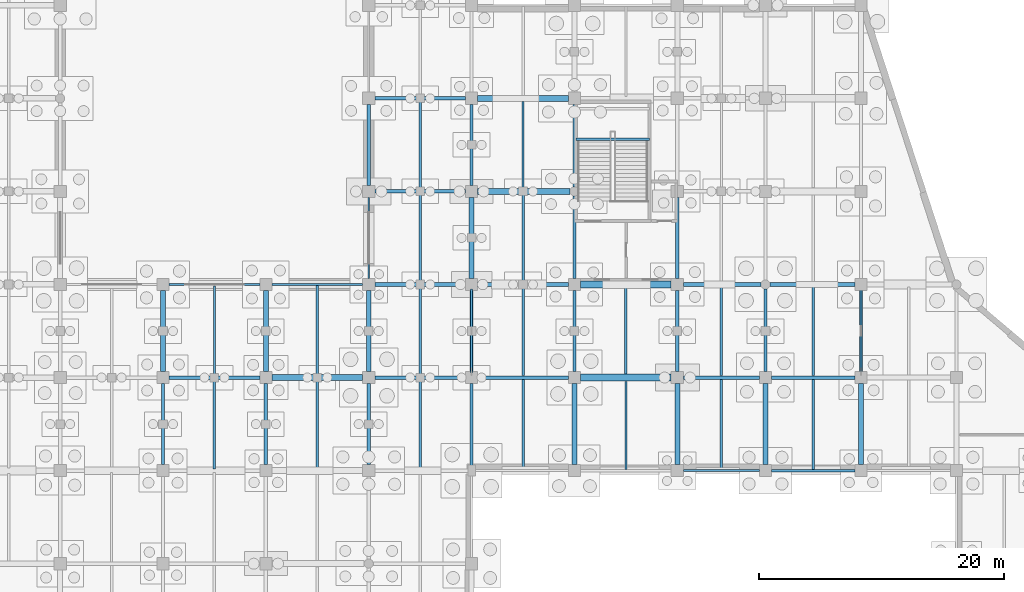
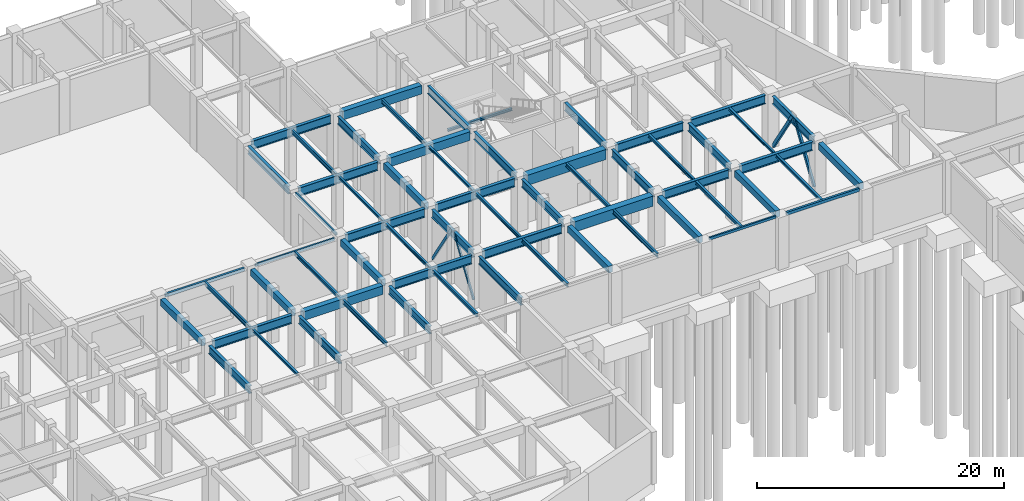
# One storey, part 25 of 52: 62 beams, 4 members.
"""IFC4 building model written with IfcOpenShell, lengths in metres."""

from ifc_helpers import new_model, si_unit, direction, frame, origin, origin_2d, place, context, subcontext, project, spatial, rectangle, hollow_rectangle, i_section, extrude, material, material_profile, profile_set, type_object, element, save


model = new_model("IFC4")

# Units and contexts
model_context = context("Model", 3, precision=1e-05, world=origin(), true_north=direction((0.0, 1.0)))
body_context = subcontext(model_context, "Body", "Model", "MODEL_VIEW")
ifc_project = project(units=[si_unit("LENGTHUNIT", "METRE"), si_unit("AREAUNIT", "SQUARE_METRE"), si_unit("VOLUMEUNIT", "CUBIC_METRE"), si_unit("PLANEANGLEUNIT", "RADIAN"), si_unit("MASSUNIT", "GRAM", prefix="KILO")], contexts=[model_context])

# Site, building, storey
site_placement = place(None, origin())
site = spatial("IfcSite", under=ifc_project, at=site_placement, CompositionType="ELEMENT")
building_placement = place(site_placement, origin())
building = spatial("IfcBuilding", under=site, at=building_placement, Name="Xicomal Pleat Aquarium", CompositionType="ELEMENT")
storey_placement = place(building_placement, frame((0.0, 0.0, -5.39990234375)))
storey = spatial("IfcBuildingStorey", under=building, at=storey_placement, Name="B1", CompositionType="ELEMENT", Elevation=-5.39990234375)

# Beams
ifc_material_1 = material(Name="Concrete C40/50", Category="concrete")
ifc_material_profile_1 = material_profile(ifc_material_1, rectangle(XDim=0.39990234375, YDim=0.64990234375, at=origin_2d()), Name="RC 400x650")
ifc_profile_set_1 = profile_set([ifc_material_profile_1], Name="Concrete C40/50")
beam_type_1 = type_object("IfcBeamType", Name="BM-RC-400x650", PredefinedType="LINTEL", material=ifc_profile_set_1)
for number, where, z_axis, x_axis, name in (
    (1, (69.0, 38.4951171875, 4.75), (0.0, 1.0, 0.0), (-1.0, 0.0, 0.0), "B1 framing beam FGY-B1-09-F-G"),
    (2, (77.39990234375, 38.4951171875, 4.75), (0.0, 1.0, 0.0), (-1.0, 0.0, 0.0), "B1 framing beam FGY-B1-10-F-G"),
    (3, (85.800048828125, 38.4951171875, 4.75), (0.0, 1.0, 0.0), (-1.0, 0.0, 0.0), "B1 framing beam FGY-B1-11-F-G"),
):
    element("IfcBeam", number, at=place(storey_placement, frame(where, z_axis=z_axis, x_axis=x_axis)), inside=storey, type_object=beam_type_1, Name=name, PredefinedType="LINTEL", context=body_context, shape_type="SweptSolid", body=[
        extrude(rectangle(XDim=0.39990234375, YDim=0.64990234375, at=origin_2d()), origin(), (0.0, 0.0, 1.0), 6.60986328125),
    ])
beam_1_placement = place(storey_placement, frame((94.199951171875, 46.094970703125, 4.75), z_axis=(0.0, 1.0, 0.0), x_axis=(-1.0, 0.0, 0.0)))
element("IfcBeam", 4, at=beam_1_placement, inside=storey, type_object=beam_type_1, Name="B1 framing beam FGY-B1-12-G-H", PredefinedType="LINTEL", context=body_context, shape_type="SweptSolid", body=[
    extrude(rectangle(XDim=0.39990234375, YDim=0.64990234375, at=origin_2d()), origin(), (0.0, 0.0, 1.0), 6.610107421875),
])
for number, where, z_axis, x_axis, name in (
    (5, (102.60009765625, 30.89501953125, 4.81494140625), (0.0, 1.0, 0.0), (-1.0, 0.0, 0.0), "B1 framing beam FGY-B1-13-E-F"),
    (6, (111.0, 30.89501953125, 4.81494140625), (0.0, 1.0, 0.0), (-1.0, 0.0, 0.0), "B1 framing beam FGY-B1-14-E-F"),
    (7, (118.199951171875, 30.89501953125, 4.81494140625), (0.0, 1.0, 0.0), (-1.0, 0.0, 0.0), "B1 framing beam FGY-B1-15-E-F"),
    (8, (126.0, 30.89501953125, 4.81494140625), (0.0, 1.0, 0.0), (-1.0, 0.0, 0.0), "B1 framing beam FGY-B1-16-E-F"),
):
    element("IfcBeam", number, at=place(storey_placement, frame(where, z_axis=z_axis, x_axis=x_axis)), inside=storey, type_object=beam_type_1, Name=name, PredefinedType="LINTEL", context=body_context, shape_type="SweptSolid", body=[
        extrude(rectangle(XDim=0.39990234375, YDim=0.64990234375, at=origin_2d()), origin(), (0.0, 0.0, 1.0), 6.60986328125),
    ])
ifc_material_2 = material(Name="Concrete C40/50", Category="concrete")
ifc_material_profile_2 = material_profile(ifc_material_2, rectangle(XDim=0.5, YDim=0.85009765625, at=origin_2d()), Name="RC 500x850")
ifc_profile_set_2 = profile_set([ifc_material_profile_2], Name="Concrete C40/50")
beam_type_2 = type_object("IfcBeamType", Name="BM-RC-500x850", PredefinedType="T_BEAM", material=ifc_profile_set_2)
beam_2_placement = place(storey_placement, frame((77.89501953125, 38.0, 4.64990234375), z_axis=(1.0, 0.0, 0.0), x_axis=(0.0, 1.0, 0.0)))
element("IfcBeam", 9, at=beam_2_placement, inside=storey, type_object=beam_type_2, Name="B1 framing beam FGX-B1-10-11-F", PredefinedType="T_BEAM", context=body_context, shape_type="SweptSolid", body=[
    extrude(rectangle(XDim=0.5, YDim=0.85009765625, at=origin_2d()), origin(), (0.0, 0.0, 1.0), 7.409912109375),
])
beam_3_placement = place(storey_placement, frame((94.695068359375, 53.199951171875, 4.71484375), z_axis=(1.0, 0.0, 0.0), x_axis=(0.0, 1.0, 0.0)))
element("IfcBeam", 10, at=beam_3_placement, inside=storey, type_object=beam_type_2, Name="B1 framing beam FGX-B1-12-13-H", PredefinedType="T_BEAM", context=body_context, shape_type="SweptSolid", body=[
    extrude(rectangle(XDim=0.5, YDim=0.85009765625, at=origin_2d()), origin(), (0.0, 0.0, 1.0), 7.534912109375),
])
beam_4_placement = place(storey_placement, frame((94.695068359375, 60.800048828125, 4.71484375), z_axis=(1.0, 0.0, 0.0), x_axis=(0.0, 1.0, 0.0)))
element("IfcBeam", 11, at=beam_4_placement, inside=storey, type_object=beam_type_2, Name="B1 framing beam FGX-B1-12-13-J", PredefinedType="T_BEAM", context=body_context, shape_type="SweptSolid", body=[
    extrude(rectangle(XDim=0.5, YDim=0.85009765625, at=origin_2d()), origin(), (0.0, 0.0, 1.0), 7.409912109375),
])
ifc_material_3 = material(Name="Concrete C40/50", Category="concrete")
ifc_material_profile_3 = material_profile(ifc_material_3, rectangle(XDim=0.60009765625, YDim=1.0, at=origin_2d()), Name="RC 600x1000")
ifc_profile_set_3 = profile_set([ifc_material_profile_3], Name="Concrete C40/50")
beam_type_3 = type_object("IfcBeamType", Name="BM-RC-600x1000", PredefinedType="T_BEAM", material=ifc_profile_set_3)
for number, where, z_axis, x_axis, name in (
    (12, (103.094970703125, 38.0, 4.639892578125), (1.0, 0.0, 0.0), (0.0, 1.0, 0.0), "B1 framing beam FGX-B1-13-14-F"),
    (13, (103.094970703125, 45.60009765625, 4.639892578125), (1.0, 0.0, 0.0), (0.0, 1.0, 0.0), "B1 framing beam FGX-B1-13-14-G"),
):
    element("IfcBeam", number, at=place(storey_placement, frame(where, z_axis=z_axis, x_axis=x_axis)), inside=storey, type_object=beam_type_3, Name=name, PredefinedType="T_BEAM", context=body_context, shape_type="SweptSolid", body=[
        extrude(rectangle(XDim=0.60009765625, YDim=1.0, at=origin_2d()), origin(), (0.0, 0.0, 1.0), 7.409912109375),
    ])
ifc_material_4 = material(Name="Structural steel A992 Gr 50", Category="steel")
ifc_material_profile_4 = material_profile(ifc_material_4, i_section(OverallWidth=0.201904296875, OverallDepth=0.2470703125, WebThickness=0.00732421875, FlangeThickness=0.010986328125, at=origin_2d()), Name="IR 250x49")
ifc_profile_set_4 = profile_set([ifc_material_profile_4], Name="Structural steel A992 Gr 50")
beam_type_4 = type_object("IfcBeamType", Name="BM-STL-IR250", PredefinedType="JOIST", material=ifc_profile_set_4)
for number, where, z_axis, x_axis, name in (
    (14, (73.199951171875, 30.550048828125, 4.951416015625), (0.0, 1.0, 0.0), (-1.0, 0.0, 0.0), "B1 framing beam FBJ-B1-09-E-1"),
    (15, (90.0, 45.75, 4.951416015625), (0.0, 1.0, 0.0), (-1.0, 0.0, 0.0), "B1 framing beam FBJ-B1-11-G-1"),
):
    element("IfcBeam", number, at=place(storey_placement, frame(where, z_axis=z_axis, x_axis=x_axis)), inside=storey, type_object=beam_type_4, Name=name, PredefinedType="JOIST", context=body_context, shape_type="SweptSolid", body=[
        extrude(i_section(OverallWidth=0.201904296875, OverallDepth=0.2470703125, WebThickness=0.00732421875, FlangeThickness=0.010986328125, at=origin_2d()), origin(), (0.0, 0.0, 1.0), 7.300048828125),
    ])
beam_5_placement = place(storey_placement, frame((98.39990234375, 45.75, 5.016357421875), z_axis=(0.0, 1.0, 0.0), x_axis=(-1.0, 0.0, 0.0)))
element("IfcBeam", 16, at=beam_5_placement, inside=storey, type_object=beam_type_4, Name="B1 framing beam FBJ-B1-12-G-1", PredefinedType="JOIST", context=body_context, shape_type="SweptSolid", body=[
    extrude(i_section(OverallWidth=0.201904296875, OverallDepth=0.2470703125, WebThickness=0.00732421875, FlangeThickness=0.010986328125, at=origin_2d()), origin(), (0.0, 0.0, 1.0), 7.197021484375),
])
beam_6_placement = place(storey_placement, frame((122.10009765625, 38.14990234375, 5.016357421875), z_axis=(0.0, 1.0, 0.0), x_axis=(-1.0, 0.0, 0.0)))
element("IfcBeam", 17, at=beam_6_placement, inside=storey, type_object=beam_type_4, Name="B1 framing beam FBJ-B1-15-F-1", PredefinedType="JOIST", context=body_context, shape_type="SweptSolid", body=[
    extrude(i_section(OverallWidth=0.201904296875, OverallDepth=0.2470703125, WebThickness=0.00732421875, FlangeThickness=0.010986328125, at=origin_2d()), origin(), (0.0, 0.0, 1.0), 7.300048828125),
])
beam_7_placement = place(storey_placement, frame((102.719970703125, 57.469970703125, 2.37890625), z_axis=(1.0, 0.0, 0.0), x_axis=(0.0, 1.0, 0.0)))
element("IfcBeam", 18, at=beam_7_placement, inside=storey, type_object=beam_type_4, Name="ST-07-B1 half-landing bearer beam 2", PredefinedType="JOIST", context=body_context, shape_type="SweptSolid", body=[
    extrude(i_section(OverallWidth=0.201904296875, OverallDepth=0.2470703125, WebThickness=0.00732421875, FlangeThickness=0.010986328125, at=origin_2d()), origin(), (0.0, 0.0, 1.0), 6.02001953125),
])
ifc_material_5 = material(Name="Structural steel A992 Gr 50", Category="steel")
ifc_material_profile_5 = material_profile(ifc_material_5, i_section(OverallWidth=0.202880859375, OverallDepth=0.302978515625, WebThickness=0.007568359375, FlangeThickness=0.01318359375, at=origin_2d()), Name="IR 310x60")
ifc_profile_set_5 = profile_set([ifc_material_profile_5], Name="Structural steel A992 Gr 50")
beam_type_5 = type_object("IfcBeamType", Name="BM-STL-IR310", PredefinedType="JOIST", material=ifc_profile_set_5)
for number, where, z_axis, x_axis, name in (
    (19, (90.0, 38.14990234375, 4.92333984375), (0.0, 1.0, 0.0), (-1.0, 0.0, 0.0), "B1 framing beam FBJ-B1-11-F-1"),
    (20, (98.39990234375, 38.14990234375, 4.98828125), (0.0, 1.0, 0.0), (-1.0, 0.0, 0.0), "B1 framing beam FBJ-B1-12-F-1"),
    (21, (114.60009765625, 38.14990234375, 4.98828125), (0.0, 1.0, 0.0), (-1.0, 0.0, 0.0), "B1 framing beam FBJ-B1-14-F-1"),
):
    element("IfcBeam", number, at=place(storey_placement, frame(where, z_axis=z_axis, x_axis=x_axis)), inside=storey, type_object=beam_type_5, Name=name, PredefinedType="JOIST", context=body_context, shape_type="SweptSolid", body=[
        extrude(i_section(OverallWidth=0.202880859375, OverallDepth=0.302978515625, WebThickness=0.007568359375, FlangeThickness=0.01318359375, at=origin_2d()), origin(), (0.0, 0.0, 1.0), 7.300048828125),
    ])
beam_8_placement = place(storey_placement, frame((122.10009765625, 30.5029296875, 4.98828125), z_axis=(0.0, 1.0, 0.0), x_axis=(-1.0, 0.0, 0.0)))
element("IfcBeam", 22, at=beam_8_placement, inside=storey, type_object=beam_type_5, Name="B1 framing beam FBJ-B1-15-E-1", PredefinedType="JOIST", context=body_context, shape_type="SweptSolid", body=[
    extrude(i_section(OverallWidth=0.202880859375, OverallDepth=0.302978515625, WebThickness=0.007568359375, FlangeThickness=0.01318359375, at=origin_2d()), origin(), (0.0, 0.0, 1.0), 7.34716796875),
])
ifc_material_6 = material(Name="Structural steel A992 Gr 50", Category="steel")
ifc_material_profile_6 = material_profile(ifc_material_6, i_section(OverallWidth=0.205078125, OverallDepth=0.35400390625, WebThickness=0.009521484375, FlangeThickness=0.016845703125, at=origin_2d()), Name="IR 360x79")
ifc_profile_set_6 = profile_set([ifc_material_profile_6], Name="Structural steel A992 Gr 50")
beam_type_6 = type_object("IfcBeamType", Name="BM-STL-IR360", PredefinedType="JOIST", material=ifc_profile_set_6)
beam_9_placement = place(storey_placement, frame((81.60009765625, 38.2529296875, 4.89794921875), z_axis=(0.0, 1.0, 0.0), x_axis=(-1.0, 0.0, 0.0)))
element("IfcBeam", 23, at=beam_9_placement, inside=storey, type_object=beam_type_6, Name="B1 framing beam FBJ-B1-10-F-1", PredefinedType="JOIST", context=body_context, shape_type="SweptSolid", body=[
    extrude(i_section(OverallWidth=0.205078125, OverallDepth=0.35400390625, WebThickness=0.009521484375, FlangeThickness=0.016845703125, at=origin_2d()), origin(), (0.0, 0.0, 1.0), 7.26904296875),
])
beam_10_placement = place(storey_placement, frame((90.0, 30.550048828125, 4.89794921875), z_axis=(0.0, 1.0, 0.0), x_axis=(-1.0, 0.0, 0.0)))
element("IfcBeam", 24, at=beam_10_placement, inside=storey, type_object=beam_type_6, Name="B1 framing beam FBJ-B1-11-E-1", PredefinedType="JOIST", context=body_context, shape_type="SweptSolid", body=[
    extrude(i_section(OverallWidth=0.205078125, OverallDepth=0.35400390625, WebThickness=0.009521484375, FlangeThickness=0.016845703125, at=origin_2d()), origin(), (0.0, 0.0, 1.0), 7.300048828125),
])
beam_11_placement = place(storey_placement, frame((98.39990234375, 30.47802734375, 4.962890625), z_axis=(0.0, 1.0, 0.0), x_axis=(-1.0, 0.0, 0.0)))
element("IfcBeam", 25, at=beam_11_placement, inside=storey, type_object=beam_type_6, Name="B1 framing beam FBJ-B1-12-E-1", PredefinedType="JOIST", context=body_context, shape_type="SweptSolid", body=[
    extrude(i_section(OverallWidth=0.205078125, OverallDepth=0.35400390625, WebThickness=0.009521484375, FlangeThickness=0.016845703125, at=origin_2d()), origin(), (0.0, 0.0, 1.0), 7.3720703125),
])
beam_12_placement = place(storey_placement, frame((106.800048828125, 38.302978515625, 4.962890625), z_axis=(0.0, 1.0, 0.0), x_axis=(-1.0, 0.0, 0.0)))
element("IfcBeam", 26, at=beam_12_placement, inside=storey, type_object=beam_type_6, Name="B1 framing beam FBJ-B1-13-F-1", PredefinedType="JOIST", context=body_context, shape_type="SweptSolid", body=[
    extrude(i_section(OverallWidth=0.205078125, OverallDepth=0.35400390625, WebThickness=0.009521484375, FlangeThickness=0.016845703125, at=origin_2d()), origin(), (0.0, 0.0, 1.0), 6.994140625),
])
beam_13_placement = place(storey_placement, frame((114.60009765625, 30.47802734375, 4.962890625), z_axis=(0.0, 1.0, 0.0), x_axis=(-1.0, 0.0, 0.0)))
element("IfcBeam", 27, at=beam_13_placement, inside=storey, type_object=beam_type_6, Name="B1 framing beam FBJ-B1-14-E-1", PredefinedType="JOIST", context=body_context, shape_type="SweptSolid", body=[
    extrude(i_section(OverallWidth=0.205078125, OverallDepth=0.35400390625, WebThickness=0.009521484375, FlangeThickness=0.016845703125, at=origin_2d()), origin(), (0.0, 0.0, 1.0), 7.3720703125),
])
ifc_material_7 = material(Name="Structural steel A992 Gr 50", Category="steel")
ifc_material_profile_7 = material_profile(ifc_material_7, i_section(OverallWidth=0.180908203125, OverallDepth=0.4169921875, WebThickness=0.010986328125, FlangeThickness=0.018310546875, at=origin_2d()), Name="IR 410x85")
ifc_profile_set_7 = profile_set([ifc_material_profile_7], Name="Structural steel A992 Gr 50")
beam_type_7 = type_object("IfcBeamType", Name="BM-STL-IR410", PredefinedType="JOIST", material=ifc_profile_set_7)
beam_14_placement = place(storey_placement, frame((73.199951171875, 38.14990234375, 4.866455078125), z_axis=(0.0, 1.0, 0.0), x_axis=(-1.0, 0.0, 0.0)))
element("IfcBeam", 28, at=beam_14_placement, inside=storey, type_object=beam_type_7, Name="B1 framing beam FBJ-B1-09-F-1", PredefinedType="JOIST", context=body_context, shape_type="SweptSolid", body=[
    extrude(i_section(OverallWidth=0.180908203125, OverallDepth=0.4169921875, WebThickness=0.010986328125, FlangeThickness=0.018310546875, at=origin_2d()), origin(), (0.0, 0.0, 1.0), 7.34716796875),
])
beam_15_placement = place(storey_placement, frame((81.60009765625, 30.653076171875, 4.866455078125), z_axis=(0.0, 1.0, 0.0), x_axis=(-1.0, 0.0, 0.0)))
element("IfcBeam", 29, at=beam_15_placement, inside=storey, type_object=beam_type_7, Name="B1 framing beam FBJ-B1-10-E-1", PredefinedType="JOIST", context=body_context, shape_type="SweptSolid", body=[
    extrude(i_section(OverallWidth=0.180908203125, OverallDepth=0.4169921875, WebThickness=0.010986328125, FlangeThickness=0.018310546875, at=origin_2d()), origin(), (0.0, 0.0, 1.0), 7.093994140625),
])
beam_16_placement = place(storey_placement, frame((90.0, 53.35009765625, 4.866455078125), z_axis=(0.0, 1.0, 0.0), x_axis=(-1.0, 0.0, 0.0)))
element("IfcBeam", 30, at=beam_16_placement, inside=storey, type_object=beam_type_7, Name="B1 framing beam FBJ-B1-11-H-1", PredefinedType="JOIST", context=body_context, shape_type="SweptSolid", body=[
    extrude(i_section(OverallWidth=0.180908203125, OverallDepth=0.4169921875, WebThickness=0.010986328125, FlangeThickness=0.018310546875, at=origin_2d()), origin(), (0.0, 0.0, 1.0), 7.2998046875),
])
beam_17_placement = place(storey_placement, frame((98.39990234375, 53.452880859375, 4.931396484375), z_axis=(0.0, 1.0, 0.0), x_axis=(-1.0, 0.0, 0.0)))
element("IfcBeam", 31, at=beam_17_placement, inside=storey, type_object=beam_type_7, Name="B1 framing beam FBJ-B1-12-H-1", PredefinedType="JOIST", context=body_context, shape_type="SweptSolid", body=[
    extrude(i_section(OverallWidth=0.180908203125, OverallDepth=0.4169921875, WebThickness=0.010986328125, FlangeThickness=0.018310546875, at=origin_2d()), origin(), (0.0, 0.0, 1.0), 7.09423828125),
])
beam_18_placement = place(storey_placement, frame((106.800048828125, 30.5029296875, 4.931396484375), z_axis=(0.0, 1.0, 0.0), x_axis=(-1.0, 0.0, 0.0)))
element("IfcBeam", 32, at=beam_18_placement, inside=storey, type_object=beam_type_7, Name="B1 framing beam FBJ-B1-13-E-1", PredefinedType="JOIST", context=body_context, shape_type="SweptSolid", body=[
    extrude(i_section(OverallWidth=0.180908203125, OverallDepth=0.4169921875, WebThickness=0.010986328125, FlangeThickness=0.018310546875, at=origin_2d()), origin(), (0.0, 0.0, 1.0), 7.194091796875),
])
ifc_material_8 = material(Name="Structural steel A992 Gr 50", Category="steel")
ifc_material_profile_8 = material_profile(ifc_material_8, i_section(OverallWidth=0.26806640625, OverallDepth=0.77001953125, WebThickness=0.015625, FlangeThickness=0.025390625, at=origin_2d()), Name="IR 760x196")
ifc_profile_set_8 = profile_set([ifc_material_profile_8], Name="Structural steel A992 Gr 50")
beam_type_8 = type_object("IfcBeamType", Name="BM-STL-IR760", PredefinedType="BEAM", material=ifc_profile_set_8)
for number, where, z_axis, x_axis, name in (
    (33, (69.0, 30.89501953125, 4.68994140625), (0.0, 1.0, 0.0), (-1.0, 0.0, 0.0), "B1 framing beam FGY-B1-09-E-F"),
    (34, (77.39990234375, 30.89501953125, 4.68994140625), (0.0, 1.0, 0.0), (-1.0, 0.0, 0.0), "B1 framing beam FGY-B1-10-E-F"),
    (35, (85.800048828125, 30.89501953125, 4.68994140625), (0.0, 1.0, 0.0), (-1.0, 0.0, 0.0), "B1 framing beam FGY-B1-11-E-F"),
    (36, (85.800048828125, 53.695068359375, 4.68994140625), (0.0, 1.0, 0.0), (-1.0, 0.0, 0.0), "B1 framing beam FGY-B1-11-H-J"),
):
    element("IfcBeam", number, at=place(storey_placement, frame(where, z_axis=z_axis, x_axis=x_axis)), inside=storey, type_object=beam_type_8, Name=name, PredefinedType="BEAM", context=body_context, shape_type="SweptSolid", body=[
        extrude(i_section(OverallWidth=0.26806640625, OverallDepth=0.77001953125, WebThickness=0.015625, FlangeThickness=0.025390625, at=origin_2d()), origin(), (0.0, 0.0, 1.0), 6.60986328125),
    ])
beam_19_placement = place(storey_placement, frame((94.199951171875, 30.695068359375, 4.68994140625), z_axis=(0.0, 1.0, 0.0), x_axis=(-1.0, 0.0, 0.0)))
element("IfcBeam", 37, at=beam_19_placement, inside=storey, type_object=beam_type_8, Name="B1 framing beam FGY-B1-12-E-F", PredefinedType="BEAM", context=body_context, shape_type="SweptSolid", body=[
    extrude(i_section(OverallWidth=0.26806640625, OverallDepth=0.77001953125, WebThickness=0.015625, FlangeThickness=0.025390625, at=origin_2d()), origin(), (0.0, 0.0, 1.0), 6.809814453125),
])
for number, where, z_axis, x_axis, name in (
    (38, (94.199951171875, 38.4951171875, 4.68994140625), (0.0, 1.0, 0.0), (-1.0, 0.0, 0.0), "B1 framing beam FGY-B1-12-F-G"),
    (39, (94.199951171875, 53.695068359375, 4.68994140625), (0.0, 1.0, 0.0), (-1.0, 0.0, 0.0), "B1 framing beam FGY-B1-12-H-J"),
    (40, (102.60009765625, 38.4951171875, 4.7548828125), (0.0, 1.0, 0.0), (-1.0, 0.0, 0.0), "B1 framing beam FGY-B1-13-F-G"),
):
    element("IfcBeam", number, at=place(storey_placement, frame(where, z_axis=z_axis, x_axis=x_axis)), inside=storey, type_object=beam_type_8, Name=name, PredefinedType="BEAM", context=body_context, shape_type="SweptSolid", body=[
        extrude(i_section(OverallWidth=0.26806640625, OverallDepth=0.77001953125, WebThickness=0.015625, FlangeThickness=0.025390625, at=origin_2d()), origin(), (0.0, 0.0, 1.0), 6.60986328125),
    ])
beam_20_placement = place(storey_placement, frame((102.60009765625, 46.094970703125, 4.7548828125), z_axis=(0.0, 1.0, 0.0), x_axis=(-1.0, 0.0, 0.0)))
element("IfcBeam", 41, at=beam_20_placement, inside=storey, type_object=beam_type_8, Name="B1 framing beam FGY-B1-13-G-H", PredefinedType="BEAM", context=body_context, shape_type="SweptSolid", body=[
    extrude(i_section(OverallWidth=0.26806640625, OverallDepth=0.77001953125, WebThickness=0.015625, FlangeThickness=0.025390625, at=origin_2d()), origin(), (0.0, 0.0, 1.0), 6.735107421875),
])
beam_21_placement = place(storey_placement, frame((102.60009765625, 53.570068359375, 4.7548828125), z_axis=(0.0, 1.0, 0.0), x_axis=(-1.0, 0.0, 0.0)))
element("IfcBeam", 42, at=beam_21_placement, inside=storey, type_object=beam_type_8, Name="B1 framing beam FGY-B1-13-H-J", PredefinedType="BEAM", context=body_context, shape_type="SweptSolid", body=[
    extrude(i_section(OverallWidth=0.26806640625, OverallDepth=0.77001953125, WebThickness=0.015625, FlangeThickness=0.025390625, at=origin_2d()), origin(), (0.0, 0.0, 1.0), 6.73486328125),
])
beam_22_placement = place(storey_placement, frame((111.0, 38.4951171875, 4.7548828125), z_axis=(0.0, 1.0, 0.0), x_axis=(-1.0, 0.0, 0.0)))
element("IfcBeam", 43, at=beam_22_placement, inside=storey, type_object=beam_type_8, Name="B1 framing beam FGY-B1-14-F-G", PredefinedType="BEAM", context=body_context, shape_type="SweptSolid", body=[
    extrude(i_section(OverallWidth=0.26806640625, OverallDepth=0.77001953125, WebThickness=0.015625, FlangeThickness=0.025390625, at=origin_2d()), origin(), (0.0, 0.0, 1.0), 6.60986328125),
])
beam_23_placement = place(storey_placement, frame((111.0, 46.094970703125, 4.7548828125), z_axis=(0.0, 1.0, 0.0), x_axis=(-1.0, 0.0, 0.0)))
element("IfcBeam", 44, at=beam_23_placement, inside=storey, type_object=beam_type_8, Name="B1 framing beam FGY-B1-14-G-H", PredefinedType="BEAM", context=body_context, shape_type="SweptSolid", body=[
    extrude(i_section(OverallWidth=0.26806640625, OverallDepth=0.77001953125, WebThickness=0.015625, FlangeThickness=0.025390625, at=origin_2d()), origin(), (0.0, 0.0, 1.0), 6.610107421875),
])
beam_24_placement = place(storey_placement, frame((118.199951171875, 38.4951171875, 4.7548828125), z_axis=(0.0, 1.0, 0.0), x_axis=(-1.0, 0.0, 0.0)))
element("IfcBeam", 45, at=beam_24_placement, inside=storey, type_object=beam_type_8, Name="B1 framing beam FGY-B1-15-F-G", PredefinedType="BEAM", context=body_context, shape_type="SweptSolid", body=[
    extrude(i_section(OverallWidth=0.26806640625, OverallDepth=0.77001953125, WebThickness=0.015625, FlangeThickness=0.025390625, at=origin_2d()), origin(), (0.0, 0.0, 1.0), 6.73486328125),
])
beam_25_placement = place(storey_placement, frame((126.0, 38.4951171875, 4.7548828125), z_axis=(0.0, 1.0, 0.0), x_axis=(-1.0, 0.0, 0.0)))
element("IfcBeam", 46, at=beam_25_placement, inside=storey, type_object=beam_type_8, Name="B1 framing beam FGY-B1-16-F-G", PredefinedType="BEAM", context=body_context, shape_type="SweptSolid", body=[
    extrude(i_section(OverallWidth=0.26806640625, OverallDepth=0.77001953125, WebThickness=0.015625, FlangeThickness=0.025390625, at=origin_2d()), origin(), (0.0, 0.0, 1.0), 6.60986328125),
])
ifc_material_9 = material(Name="Structural steel A992 Gr 50", Category="steel")
ifc_material_profile_9 = material_profile(ifc_material_9, i_section(OverallWidth=0.2939453125, OverallDepth=0.85107421875, WebThickness=0.01611328125, FlangeThickness=0.02685546875, at=origin_2d()), Name="IR 840x226")
ifc_profile_set_9 = profile_set([ifc_material_profile_9], Name="Structural steel A992 Gr 50")
beam_type_9 = type_object("IfcBeamType", Name="BM-STL-IR840", PredefinedType="BEAM", material=ifc_profile_set_9)
beam_26_placement = place(storey_placement, frame((69.4951171875, 38.0, 4.6494140625), z_axis=(1.0, 0.0, 0.0), x_axis=(0.0, 1.0, 0.0)))
element("IfcBeam", 47, at=beam_26_placement, inside=storey, type_object=beam_type_9, Name="B1 framing beam FGX-B1-09-10-F", PredefinedType="BEAM", context=body_context, shape_type="SweptSolid", body=[
    extrude(i_section(OverallWidth=0.2939453125, OverallDepth=0.85107421875, WebThickness=0.01611328125, FlangeThickness=0.02685546875, at=origin_2d()), origin(), (0.0, 0.0, 1.0), 7.409912109375),
])
beam_27_placement = place(storey_placement, frame((86.294921875, 38.0, 4.6494140625), z_axis=(1.0, 0.0, 0.0), x_axis=(0.0, 1.0, 0.0)))
element("IfcBeam", 48, at=beam_27_placement, inside=storey, type_object=beam_type_9, Name="B1 framing beam FGX-B1-11-12-F", PredefinedType="BEAM", context=body_context, shape_type="SweptSolid", body=[
    extrude(i_section(OverallWidth=0.2939453125, OverallDepth=0.85107421875, WebThickness=0.01611328125, FlangeThickness=0.02685546875, at=origin_2d()), origin(), (0.0, 0.0, 1.0), 7.41015625),
])
beam_28_placement = place(storey_placement, frame((94.695068359375, 38.0, 4.71435546875), z_axis=(1.0, 0.0, 0.0), x_axis=(0.0, 1.0, 0.0)))
element("IfcBeam", 49, at=beam_28_placement, inside=storey, type_object=beam_type_9, Name="B1 framing beam FGX-B1-12-13-F", PredefinedType="BEAM", context=body_context, shape_type="SweptSolid", body=[
    extrude(i_section(OverallWidth=0.2939453125, OverallDepth=0.85107421875, WebThickness=0.01611328125, FlangeThickness=0.02685546875, at=origin_2d()), origin(), (0.0, 0.0, 1.0), 7.409912109375),
])
beam_29_placement = place(storey_placement, frame((111.4951171875, 38.0, 4.71435546875), z_axis=(1.0, 0.0, 0.0), x_axis=(0.0, 1.0, 0.0)))
element("IfcBeam", 50, at=beam_29_placement, inside=storey, type_object=beam_type_9, Name="B1 framing beam FGX-B1-14-15-F", PredefinedType="BEAM", context=body_context, shape_type="SweptSolid", body=[
    extrude(i_section(OverallWidth=0.2939453125, OverallDepth=0.85107421875, WebThickness=0.01611328125, FlangeThickness=0.02685546875, at=origin_2d()), origin(), (0.0, 0.0, 1.0), 6.2099609375),
])
beam_30_placement = place(storey_placement, frame((118.695068359375, 38.0, 4.71435546875), z_axis=(1.0, 0.0, 0.0), x_axis=(0.0, 1.0, 0.0)))
element("IfcBeam", 51, at=beam_30_placement, inside=storey, type_object=beam_type_9, Name="B1 framing beam FGX-B1-15-16-F", PredefinedType="BEAM", context=body_context, shape_type="SweptSolid", body=[
    extrude(i_section(OverallWidth=0.2939453125, OverallDepth=0.85107421875, WebThickness=0.01611328125, FlangeThickness=0.02685546875, at=origin_2d()), origin(), (0.0, 0.0, 1.0), 6.809814453125),
])
beam_31_placement = place(storey_placement, frame((86.294921875, 45.60009765625, 4.6494140625), z_axis=(1.0, 0.0, 0.0), x_axis=(0.0, 1.0, 0.0)))
element("IfcBeam", 52, at=beam_31_placement, inside=storey, type_object=beam_type_9, Name="B1 framing beam FGX-B1-11-12-G", PredefinedType="BEAM", context=body_context, shape_type="SweptSolid", body=[
    extrude(i_section(OverallWidth=0.2939453125, OverallDepth=0.85107421875, WebThickness=0.01611328125, FlangeThickness=0.02685546875, at=origin_2d()), origin(), (0.0, 0.0, 1.0), 7.41015625),
])
beam_32_placement = place(storey_placement, frame((94.695068359375, 45.60009765625, 4.71435546875), z_axis=(1.0, 0.0, 0.0), x_axis=(0.0, 1.0, 0.0)))
element("IfcBeam", 53, at=beam_32_placement, inside=storey, type_object=beam_type_9, Name="B1 framing beam FGX-B1-12-13-G", PredefinedType="BEAM", context=body_context, shape_type="SweptSolid", body=[
    extrude(i_section(OverallWidth=0.2939453125, OverallDepth=0.85107421875, WebThickness=0.01611328125, FlangeThickness=0.02685546875, at=origin_2d()), origin(), (0.0, 0.0, 1.0), 7.409912109375),
])
beam_33_placement = place(storey_placement, frame((111.4951171875, 45.60009765625, 4.71435546875), z_axis=(1.0, 0.0, 0.0), x_axis=(0.0, 1.0, 0.0)))
element("IfcBeam", 54, at=beam_33_placement, inside=storey, type_object=beam_type_9, Name="B1 framing beam FGX-B1-14-15-G", PredefinedType="BEAM", context=body_context, shape_type="SweptSolid", body=[
    extrude(i_section(OverallWidth=0.2939453125, OverallDepth=0.85107421875, WebThickness=0.01611328125, FlangeThickness=0.02685546875, at=origin_2d()), origin(), (0.0, 0.0, 1.0), 6.3349609375),
])
beam_34_placement = place(storey_placement, frame((118.570068359375, 45.60009765625, 4.71435546875), z_axis=(1.0, 0.0, 0.0), x_axis=(0.0, 1.0, 0.0)))
element("IfcBeam", 55, at=beam_34_placement, inside=storey, type_object=beam_type_9, Name="B1 framing beam FGX-B1-15-16-G", PredefinedType="BEAM", context=body_context, shape_type="SweptSolid", body=[
    extrude(i_section(OverallWidth=0.2939453125, OverallDepth=0.85107421875, WebThickness=0.01611328125, FlangeThickness=0.02685546875, at=origin_2d()), origin(), (0.0, 0.0, 1.0), 6.934814453125),
])
for number, where, z_axis, x_axis, name in (
    (56, (86.294921875, 53.199951171875, 4.6494140625), (1.0, 0.0, 0.0), (0.0, 1.0, 0.0), "B1 framing beam FGX-B1-11-12-H"),
    (57, (86.294921875, 60.800048828125, 4.6494140625), (1.0, 0.0, 0.0), (0.0, 1.0, 0.0), "B1 framing beam FGX-B1-11-12-J"),
):
    element("IfcBeam", number, at=place(storey_placement, frame(where, z_axis=z_axis, x_axis=x_axis)), inside=storey, type_object=beam_type_9, Name=name, PredefinedType="BEAM", context=body_context, shape_type="SweptSolid", body=[
        extrude(i_section(OverallWidth=0.2939453125, OverallDepth=0.85107421875, WebThickness=0.01611328125, FlangeThickness=0.02685546875, at=origin_2d()), origin(), (0.0, 0.0, 1.0), 7.41015625),
    ])
ifc_material_10 = material(Name="Structural steel A500 Gr C", Category="steel")
ifc_material_profile_10 = material_profile(ifc_material_10, hollow_rectangle(XDim=0.14990234375, YDim=0.25, WallThickness=0.010009765625, at=origin_2d()), Name="OR 250x150x10")
ifc_profile_set_10 = profile_set([ifc_material_profile_10], Name="Structural steel A500 Gr C")
beam_type_10 = type_object("IfcBeamType", Name="BM-STL-OR250", PredefinedType="SPANDREL", material=ifc_profile_set_10)
beam_35_placement = place(storey_placement, frame((111.4951171875, 30.39990234375, 5.014892578125), z_axis=(1.0, 0.0, 0.0), x_axis=(0.0, 1.0, 0.0)))
element("IfcBeam", 58, at=beam_35_placement, inside=storey, type_object=beam_type_10, Name="B1 framing beam FGX-B1-14-15-E", PredefinedType="SPANDREL", context=body_context, shape_type="SweptSolid", body=[
    extrude(hollow_rectangle(XDim=0.14990234375, YDim=0.25, WallThickness=0.010009765625, at=origin_2d()), origin(), (0.0, 0.0, 1.0), 6.2099609375),
])
beam_36_placement = place(storey_placement, frame((77.89501953125, 45.60009765625, 4.949951171875), z_axis=(1.0, 0.0, 0.0), x_axis=(0.0, 1.0, 0.0)))
element("IfcBeam", 59, at=beam_36_placement, inside=storey, type_object=beam_type_10, Name="B1 framing beam FGX-B1-10-11-G", PredefinedType="SPANDREL", context=body_context, shape_type="SweptSolid", body=[
    extrude(hollow_rectangle(XDim=0.14990234375, YDim=0.25, WallThickness=0.010009765625, at=origin_2d()), origin(), (0.0, 0.0, 1.0), 7.409912109375),
])
beam_37_placement = place(storey_placement, frame((85.800048828125, 46.094970703125, 4.949951171875), z_axis=(0.0, 1.0, 0.0), x_axis=(-1.0, 0.0, 0.0)))
element("IfcBeam", 60, at=beam_37_placement, inside=storey, type_object=beam_type_10, Name="B1 framing beam FGY-B1-11-G-H", PredefinedType="SPANDREL", context=body_context, shape_type="SweptSolid", body=[
    extrude(hollow_rectangle(XDim=0.14990234375, YDim=0.25, WallThickness=0.010009765625, at=origin_2d()), origin(), (0.0, 0.0, 1.0), 6.610107421875),
])
ifc_material_11 = material(Name="Structural steel A500 Gr C", Category="steel")
ifc_material_profile_11 = material_profile(ifc_material_11, hollow_rectangle(XDim=0.199951171875, YDim=0.300048828125, WallThickness=0.011962890625, at=origin_2d()), Name="OR 300x200x12")
ifc_profile_set_11 = profile_set([ifc_material_profile_11], Name="Structural steel A500 Gr C")
beam_type_11 = type_object("IfcBeamType", Name="BM-STL-OR300", PredefinedType="SPANDREL", material=ifc_profile_set_11)
beam_38_placement = place(storey_placement, frame((118.695068359375, 30.39990234375, 4.989990234375), z_axis=(1.0, 0.0, 0.0), x_axis=(0.0, 1.0, 0.0)))
element("IfcBeam", 61, at=beam_38_placement, inside=storey, type_object=beam_type_11, Name="B1 framing beam FGX-B1-15-16-E", PredefinedType="SPANDREL", context=body_context, shape_type="SweptSolid", body=[
    extrude(hollow_rectangle(XDim=0.199951171875, YDim=0.300048828125, WallThickness=0.011962890625, at=origin_2d()), origin(), (0.0, 0.0, 1.0), 6.809814453125),
])
beam_39_placement = place(storey_placement, frame((69.4951171875, 45.60009765625, 4.9248046875), z_axis=(1.0, 0.0, 0.0), x_axis=(0.0, 1.0, 0.0)))
element("IfcBeam", 62, at=beam_39_placement, inside=storey, type_object=beam_type_11, Name="B1 framing beam FGX-B1-09-10-G", PredefinedType="SPANDREL", context=body_context, shape_type="SweptSolid", body=[
    extrude(hollow_rectangle(XDim=0.199951171875, YDim=0.300048828125, WallThickness=0.011962890625, at=origin_2d()), origin(), (0.0, 0.0, 1.0), 7.409912109375),
])

# Members
ifc_material_12 = material(Name="Structural steel A500 Gr C", Category="steel")
ifc_material_profile_12 = material_profile(ifc_material_12, hollow_rectangle(XDim=0.14990234375, YDim=0.25, WallThickness=0.010009765625, at=origin_2d()), Name="OR 250x150x10")
ifc_profile_set_12 = profile_set([ifc_material_profile_12], Name="Structural steel A500 Gr C")
member_type_1 = type_object("IfcMemberType", Name="MEM-BR-OR250", PredefinedType="BRACE", material=ifc_profile_set_12)
for number, where, z_axis, x_axis, name in (
    (63, (94.199951171875, 38.47998046875, 0.14990234375), (0.0, 0.543178422958, 0.839617294267), (-1.0, 0.0, 0.0), "B1 chevron brace 15A"),
    (64, (94.199951171875, 45.1201171875, 0.14990234375), (0.0, -0.543207913445, 0.839598215083), (1.0, 0.0, 0.0), "B1 chevron brace 15B"),
):
    element("IfcMember", number, at=place(storey_placement, frame(where, z_axis=z_axis, x_axis=x_axis)), inside=storey, type_object=member_type_1, Name=name, PredefinedType="BRACE", context=body_context, shape_type="SweptSolid", body=[
        extrude(hollow_rectangle(XDim=0.14990234375, YDim=0.25, WallThickness=0.010009765625, at=origin_2d()), origin(), (0.0, 0.0, 1.0), 5.8359375),
    ])
ifc_material_13 = material(Name="Structural steel A500 Gr C", Category="steel")
ifc_material_profile_13 = material_profile(ifc_material_13, hollow_rectangle(XDim=0.199951171875, YDim=0.300048828125, WallThickness=0.011962890625, at=origin_2d()), Name="OR 300x200x12")
ifc_profile_set_13 = profile_set([ifc_material_profile_13], Name="Structural steel A500 Gr C")
member_type_2 = type_object("IfcMemberType", Name="MEM-BR-OR300", PredefinedType="BRACE", material=ifc_profile_set_13)
for number, where, z_axis, x_axis, name in (
    (65, (126.0, 38.47998046875, 0.14990234375), (0.0, 0.543178422958, 0.839617294267), (-1.0, 0.0, 0.0), "B1 chevron brace 19A"),
    (66, (126.0, 45.1201171875, 0.14990234375), (0.0, -0.543207913445, 0.839598215083), (1.0, 0.0, 0.0), "B1 chevron brace 19B"),
):
    element("IfcMember", number, at=place(storey_placement, frame(where, z_axis=z_axis, x_axis=x_axis)), inside=storey, type_object=member_type_2, Name=name, PredefinedType="BRACE", context=body_context, shape_type="SweptSolid", body=[
        extrude(hollow_rectangle(XDim=0.199951171875, YDim=0.300048828125, WallThickness=0.011962890625, at=origin_2d()), origin(), (0.0, 0.0, 1.0), 5.8359375),
    ])

save(model, "model.ifc")
